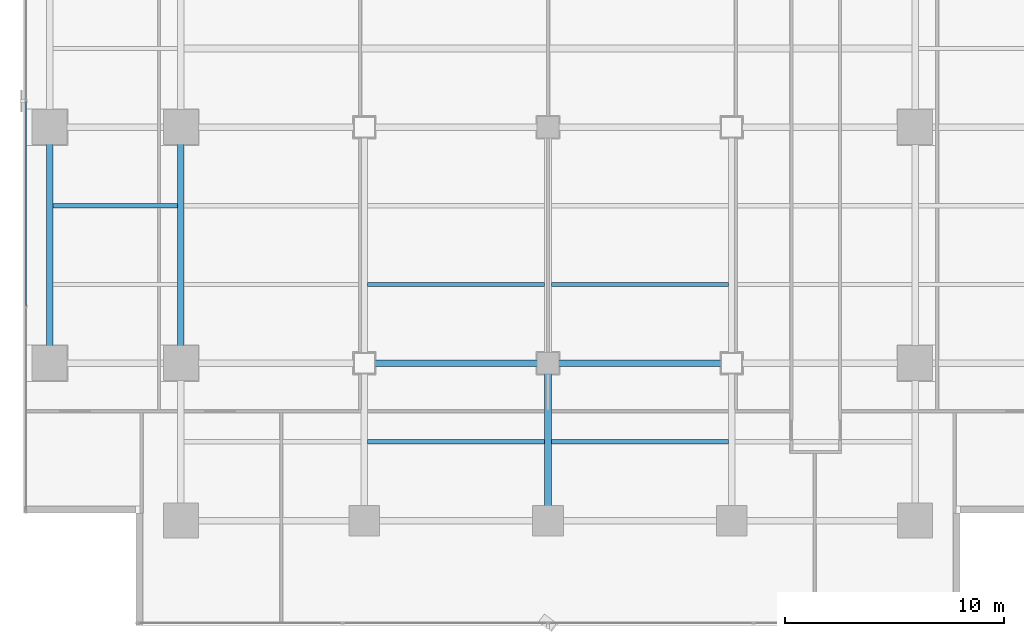
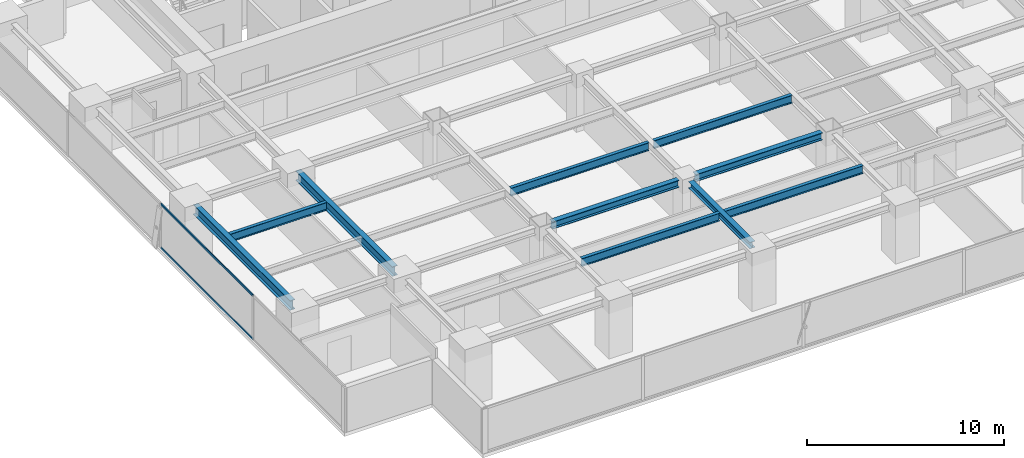
# One storey, part 6 of 28: 10 beams, 2 members, 1 element without a shape of its own.
"""IFC4 building model written with IfcOpenShell, lengths in metres."""

from ifc_helpers import new_model, si_unit, direction, frame, origin, origin_2d, place, context, subcontext, project, spatial, hollow_rectangle, i_section, extrude, source, transform, mapped, material, layer, layer_set, material_profile, profile_set, type_object, element, aggregate, save


model = new_model("IFC4")

# Units and contexts
model_context = context("Model", 3, precision=1e-05, world=origin(), true_north=direction((0.0, 1.0)))
body_context = subcontext(model_context, "Body", "Model", "MODEL_VIEW")
ifc_project = project(units=[si_unit("LENGTHUNIT", "METRE"), si_unit("AREAUNIT", "SQUARE_METRE"), si_unit("VOLUMEUNIT", "CUBIC_METRE"), si_unit("PLANEANGLEUNIT", "RADIAN"), si_unit("MASSUNIT", "GRAM", prefix="KILO")], contexts=[model_context])

# Site, building, storey
site_placement = place(None, origin())
site = spatial("IfcSite", under=ifc_project, at=site_placement, CompositionType="ELEMENT")
building_placement = place(site_placement, origin())
building = spatial("IfcBuilding", under=site, at=building_placement, Name="Sumidabori Civic Tower", CompositionType="ELEMENT")
storey_placement = place(building_placement, frame((0.0, 0.0, 178.39990234375)))
storey = spatial("IfcBuildingStorey", under=building, at=storey_placement, Name="L46", CompositionType="ELEMENT", Elevation=178.39990234375)

# Beams
ifc_material_1 = material(Name="Steel SN490", Category="steel")
ifc_material_profile_1 = material_profile(ifc_material_1, i_section(OverallWidth=0.300048828125, OverallDepth=0.39990234375, WebThickness=0.013427734375, FlangeThickness=0.02392578125, at=origin_2d()), Name="HE 400 B")
ifc_profile_set_1 = profile_set([ifc_material_profile_1], Name="Steel SN490")
beam_type_1 = type_object("IfcBeamType", Name="BM-GIRD-400", PredefinedType="BEAM", material=ifc_profile_set_1)
shared_shape_1 = source(origin(), body_context, "Body", "SweptSolid", [
    extrude(i_section(OverallWidth=0.300048828125, OverallDepth=0.39990234375, WebThickness=0.013427734375, FlangeThickness=0.02392578125, at=origin_2d()), origin(), (0.0, 0.0, 1.0), 6.239990234375),
])
beam_1_placement = place(storey_placement, frame((0.0, -17.52001953125, 3.18017578125), z_axis=(0.0, 1.0, 0.0), x_axis=(-1.0, 0.0, 0.0)))
element("IfcBeam", 1, at=beam_1_placement, inside=storey, type_object=beam_type_1, Name="Primary Girder L46 GY-28", PredefinedType="BEAM", context=body_context, shape_type="MappedRepresentation", body=[
    mapped(shared_shape_1, transform((0.0, 0.0, 0.0), x_axis=(1.0, 0.0, 0.0), y_axis=(0.0, 1.0, 0.0), z_axis=(0.0, 0.0, 1.0), scale=1.0)),
])
ifc_material_profile_2 = material_profile(ifc_material_1, i_section(OverallWidth=0.300048828125, OverallDepth=0.60009765625, WebThickness=0.015380859375, FlangeThickness=0.030029296875, at=origin_2d()), Name="HE 600 B")
ifc_profile_set_2 = profile_set([ifc_material_profile_2], Name="Steel SN490")
beam_type_2 = type_object("IfcBeamType", Name="BM-GIRD-600", PredefinedType="BEAM", material=ifc_profile_set_2)
shared_shape_2 = source(origin(), body_context, "Body", "SweptSolid", [
    extrude(i_section(OverallWidth=0.300048828125, OverallDepth=0.60009765625, WebThickness=0.015380859375, FlangeThickness=0.030029296875, at=origin_2d()), origin(), (0.0, 0.0, 1.0), 9.840087890625),
])
for number, where, z_axis, x_axis, name in (
    (2, (-22.800048828125, -10.320068359375, 3.080078125), (0.0, 1.0, 0.0), (-1.0, 0.0, 0.0), "Primary Girder L46 GY-19"),
    (3, (-16.800048828125, -10.320068359375, 3.080078125), (0.0, 1.0, 0.0), (-1.0, 0.0, 0.0), "Primary Girder L46 GY-23"),
):
    element("IfcBeam", number, at=place(storey_placement, frame(where, z_axis=z_axis, x_axis=x_axis)), inside=storey, type_object=beam_type_2, Name=name, PredefinedType="BEAM", context=body_context, shape_type="MappedRepresentation", body=[
        mapped(shared_shape_2, transform((0.0, 0.0, 0.0), x_axis=(1.0, 0.0, 0.0), y_axis=(0.0, 1.0, 0.0), z_axis=(0.0, 0.0, 1.0), scale=1.0)),
    ])
ifc_material_profile_3 = material_profile(ifc_material_1, i_section(OverallWidth=0.199951171875, OverallDepth=0.5, WebThickness=0.01025390625, FlangeThickness=0.01611328125, at=origin_2d()), Name="IPE 500")
ifc_profile_set_3 = profile_set([ifc_material_profile_3], Name="Steel SN490")
beam_type_3 = type_object("IfcBeamType", Name="BM-JST-500", PredefinedType="JOIST", material=ifc_profile_set_3)
shared_shape_3 = source(origin(), body_context, "Body", "SweptSolid", [
    extrude(i_section(OverallWidth=0.199951171875, OverallDepth=0.5, WebThickness=0.01025390625, FlangeThickness=0.01611328125, at=origin_2d()), origin(), (0.0, 0.0, 1.0), 5.699951171875),
])
beam_2_placement = place(storey_placement, frame((-22.64990234375, -3.60009765625, 3.130126953125), z_axis=(1.0, 0.0, 0.0), x_axis=(0.0, 1.0, 0.0)))
element("IfcBeam", 4, at=beam_2_placement, inside=storey, type_object=beam_type_3, Name="Outer Bay Floor Joist L46 JSTO-41", PredefinedType="JOIST", context=body_context, shape_type="MappedRepresentation", body=[
    mapped(shared_shape_3, transform((0.0, 0.0, 0.0), x_axis=(1.0, 0.0, 0.0), y_axis=(0.0, 1.0, 0.0), z_axis=(0.0, 0.0, 1.0), scale=1.0)),
])
shared_shape_4 = source(origin(), body_context, "Body", "SweptSolid", [
    extrude(i_section(OverallWidth=0.199951171875, OverallDepth=0.5, WebThickness=0.01025390625, FlangeThickness=0.01611328125, at=origin_2d()), origin(), (0.0, 0.0, 1.0), 8.10009765625),
])
for number, where, z_axis, x_axis, name in (
    (5, (-8.25, -14.39990234375, 3.130126953125), (1.0, 0.0, 0.0), (0.0, 1.0, 0.0), "South Bay Floor Joist L46 JSTS-50"),
    (6, (0.14990234375, -14.39990234375, 3.130126953125), (1.0, 0.0, 0.0), (0.0, 1.0, 0.0), "South Bay Floor Joist L46 JSTS-51"),
    (7, (-8.25, -7.199951171875, 3.130126953125), (1.0, 0.0, 0.0), (0.0, 1.0, 0.0), "South Bay Floor Joist L46 JSTS-54"),
    (8, (0.14990234375, -7.199951171875, 3.130126953125), (1.0, 0.0, 0.0), (0.0, 1.0, 0.0), "South Bay Floor Joist L46 JSTS-55"),
):
    element("IfcBeam", number, at=place(storey_placement, frame(where, z_axis=z_axis, x_axis=x_axis)), inside=storey, type_object=beam_type_3, Name=name, PredefinedType="JOIST", context=body_context, shape_type="MappedRepresentation", body=[
        mapped(shared_shape_4, transform((0.0, 0.0, 0.0), x_axis=(1.0, 0.0, 0.0), y_axis=(0.0, 1.0, 0.0), z_axis=(0.0, 0.0, 1.0), scale=1.0)),
    ])
ifc_material_profile_4 = material_profile(ifc_material_1, i_section(OverallWidth=0.300048828125, OverallDepth=0.449951171875, WebThickness=0.013916015625, FlangeThickness=0.02587890625, at=origin_2d()), Name="HE 450 B")
ifc_profile_set_4 = profile_set([ifc_material_profile_4], Name="Steel SN490")
beam_type_4 = type_object("IfcBeamType", Name="BM-GIRD-450", PredefinedType="BEAM", material=ifc_profile_set_4)
shared_shape_5 = source(origin(), body_context, "Body", "SweptSolid", [
    extrude(i_section(OverallWidth=0.300048828125, OverallDepth=0.449951171875, WebThickness=0.013916015625, FlangeThickness=0.02587890625, at=origin_2d()), origin(), (0.0, 0.0, 1.0), 7.43994140625),
])
for number, where, z_axis, x_axis, name in (
    (9, (-7.919921875, -10.800048828125, 3.155029296875), (1.0, 0.0, 0.0), (0.0, 1.0, 0.0), "Primary Girder L46 GX-07"),
    (10, (0.47998046875, -10.800048828125, 3.155029296875), (1.0, 0.0, 0.0), (0.0, 1.0, 0.0), "Primary Girder L46 GX-08"),
):
    element("IfcBeam", number, at=place(storey_placement, frame(where, z_axis=z_axis, x_axis=x_axis)), inside=storey, type_object=beam_type_4, Name=name, PredefinedType="BEAM", context=body_context, shape_type="MappedRepresentation", body=[
        mapped(shared_shape_5, transform((0.0, 0.0, 0.0), x_axis=(1.0, 0.0, 0.0), y_axis=(0.0, 1.0, 0.0), z_axis=(0.0, 0.0, 1.0), scale=1.0)),
    ])

# Curtain wall, members
ifc_material_2 = material(Name="Anodised Bronze Aluminium AW-6063-T6", Category="aluminium")
ifc_layer = layer(ifc_material_2, 0.179931640625, Name="Anodised Bronze Aluminium AW-6063-T6")
ifc_layer_set = layer_set([ifc_layer], Name="Anodised Bronze Aluminium AW-6063-T6")
curtain_wall_type = type_object("IfcCurtainWallType", Name="CW-SYS-3", PredefinedType="NOTDEFINED", material=ifc_layer_set)
curtain_wall_placement = place(storey_placement, origin())
curtain_wall = element("IfcCurtainWall", 11, at=curtain_wall_placement, inside=storey, type_object=curtain_wall_type, Name="Curtain Wall CW:L46:R10", PredefinedType="NOTDEFINED")
ifc_material_profile_5 = material_profile(ifc_material_2, hollow_rectangle(XDim=0.06005859375, YDim=0.1298828125, WallThickness=0.0048828125, at=origin_2d()), Name="ALU TRANSOM 130x60")
ifc_profile_set_5 = profile_set([ifc_material_profile_5], Name="Anodised Bronze Aluminium AW-6063-T6")
member_type = type_object("IfcMemberType", Name="CW-TRN-130", PredefinedType="USERDEFINED", material=ifc_profile_set_5)
shared_shape_6 = source(origin(), body_context, "Body", "SweptSolid", [
    extrude(hollow_rectangle(XDim=0.06005859375, YDim=0.1298828125, WallThickness=0.0048828125, at=origin_2d()), origin(), (0.0, 0.0, 1.0), 9.344970703125),
])
member_1_placement = place(storey_placement, frame((-23.8798828125, 1.16748046875, 0.030029296875), z_axis=(0.0, -1.0, 0.0), x_axis=(1.0, 0.0, 0.0)))
member_1 = element("IfcMember", 12, at=member_1_placement, type_object=member_type, Name="CW-3 transom 3.1", ObjectType="TRANSOM", PredefinedType="USERDEFINED", context=body_context, shape_type="MappedRepresentation", body=[
    mapped(shared_shape_6, transform((0.0, 0.0, 0.0), x_axis=(1.0, 0.0, 0.0), y_axis=(0.0, 1.0, 0.0), z_axis=(0.0, 0.0, 1.0), scale=1.0)),
])
member_2_placement = place(storey_placement, frame((-23.8798828125, 1.16748046875, 2.72998046875), z_axis=(0.0, -1.0, 0.0), x_axis=(1.0, 0.0, 0.0)))
member_2 = element("IfcMember", 13, at=member_2_placement, type_object=member_type, Name="CW-3 transom 3.2", ObjectType="TRANSOM", PredefinedType="USERDEFINED", context=body_context, shape_type="MappedRepresentation", body=[
    mapped(shared_shape_6, transform((0.0, 0.0, 0.0), x_axis=(1.0, 0.0, 0.0), y_axis=(0.0, 1.0, 0.0), z_axis=(0.0, 0.0, 1.0), scale=1.0)),
])
aggregate(curtain_wall, [member_1, member_2])

save(model, "model.ifc")
